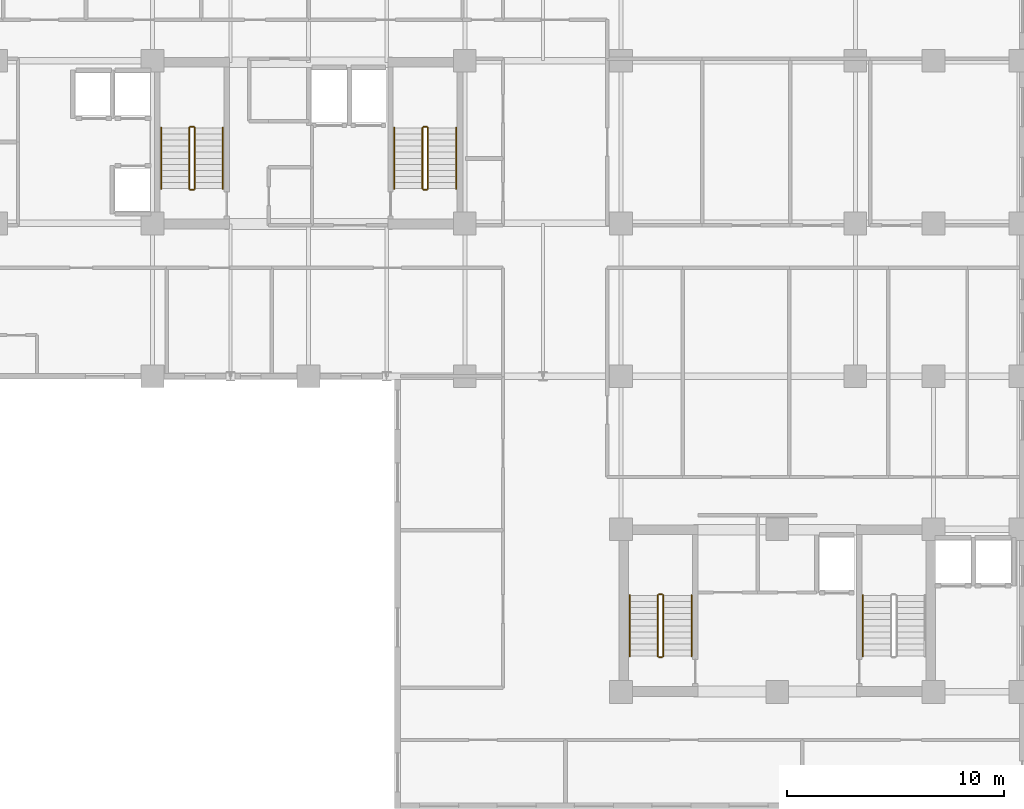
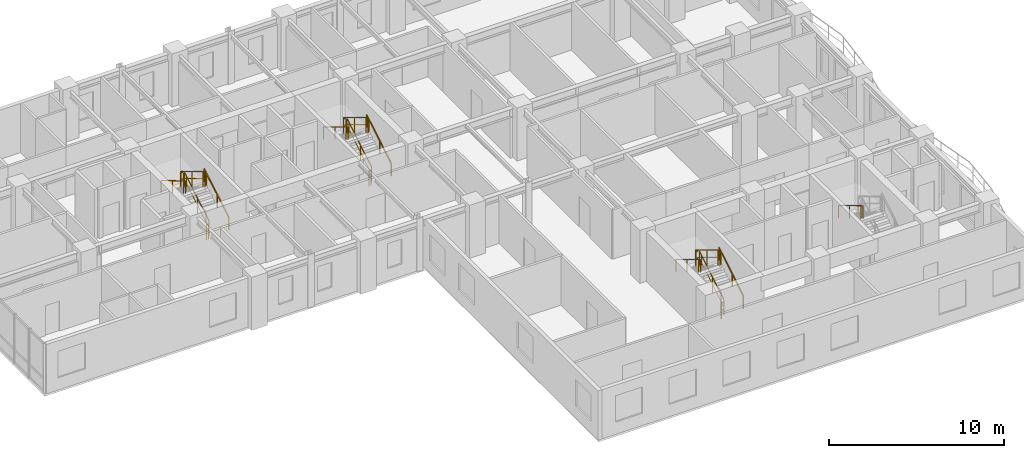
# One storey, part 17 of 19: 19 railings.
"""IFC4 building model written with IfcOpenShell, lengths in metres."""

from ifc_helpers import new_model, si_unit, direction, frame, origin, origin_2d, place, context, subcontext, project, spatial, rectangle, extrude, material, type_object, element, save


model = new_model("IFC4")

# Units and contexts
model_context = context("Model", 3, precision=1e-05, world=origin(), true_north=direction((0.0, 1.0)))
body_context = subcontext(model_context, "Body", "Model", "MODEL_VIEW")
ifc_project = project(units=[si_unit("LENGTHUNIT", "METRE"), si_unit("AREAUNIT", "SQUARE_METRE"), si_unit("VOLUMEUNIT", "CUBIC_METRE"), si_unit("PLANEANGLEUNIT", "RADIAN"), si_unit("MASSUNIT", "GRAM", prefix="KILO")], contexts=[model_context])

# Site, building, storey
site_placement = place(None, origin())
site = spatial("IfcSite", under=ifc_project, at=site_placement, CompositionType="ELEMENT")
building_placement = place(site_placement, origin())
building = spatial("IfcBuilding", under=site, at=building_placement, Name="Kaliganga Portal Commons", CompositionType="ELEMENT")
storey_placement = place(building_placement, frame((0.0, 0.0, 184.60009765625)))
storey = spatial("IfcBuildingStorey", under=building, at=storey_placement, Name="L47", CompositionType="ELEMENT", Elevation=184.60009765625)

# Railings
ifc_material_1 = material(Name="Galvanized Painted Steel Balustrade", Category="steel")
railing_type_1 = type_object("IfcRailingType", Name="RLG-STAIR-GRD", PredefinedType="GUARDRAIL", material=ifc_material_1)
railing_1_placement = place(storey_placement, frame((16.35009765625, 30.25, 0.16796875)))
element("IfcRailing", 1, at=railing_1_placement, inside=storey, type_object=railing_type_1, Name="L47 ST-A1 stair guard 1", PredefinedType="GUARDRAIL", context=body_context, shape_type="SweptSolid", body=[
    extrude(rectangle(XDim=0.048095703125, YDim=0.048095703125, at=origin_2d()), frame((0.0, 0.0, 1.072021484375), z_axis=(0.0, 0.857242210791, 0.514913383045), x_axis=(-1.0, 0.0, 0.0)), (0.0, 0.0, 1.0), 3.266357421875),
    extrude(rectangle(XDim=0.028076171875, YDim=0.028076171875, at=origin_2d()), frame((0.0, 0.0, 0.572021484375), z_axis=(0.0, 0.857242210791, 0.514913383045), x_axis=(-1.0, 0.0, 0.0)), (0.0, 0.0, 1.0), 3.266357421875),
    extrude(rectangle(XDim=0.0419921875, YDim=0.0419921875, at=origin_2d()), origin(), (0.0, 0.0, 1.0), 1.052001953125),
    extrude(rectangle(XDim=0.0419921875, YDim=0.0419921875, at=origin_2d()), frame((0.0, 1.285888671875, 0.7724609375)), (0.0, 0.0, 1.0), 1.052001953125),
    extrude(rectangle(XDim=0.0419921875, YDim=0.0419921875, at=origin_2d()), frame((0.0, 2.57177734375, 1.544677734375)), (0.0, 0.0, 1.0), 1.052001953125),
    extrude(rectangle(XDim=0.0419921875, YDim=0.0419921875, at=origin_2d()), frame((0.0, 2.800048828125, 1.681884765625)), (0.0, 0.0, 1.0), 1.052001953125),
])
railing_2_placement = place(storey_placement, frame((16.300048828125, 33.10009765625, 1.849853515625)))
element("IfcRailing", 2, at=railing_2_placement, inside=storey, type_object=railing_type_1, Name="L47 ST-A1 stair guard 2", PredefinedType="GUARDRAIL", context=body_context, shape_type="SweptSolid", body=[
    extrude(rectangle(XDim=0.048095703125, YDim=0.048095703125, at=origin_2d()), frame((0.0, 0.0, 1.076171875), z_axis=(-1.0, 0.0, 0.0), x_axis=(0.0, -1.0, 0.0)), (0.0, 0.0, 1.0), 0.150146484375),
    extrude(rectangle(XDim=0.028076171875, YDim=0.028076171875, at=origin_2d()), frame((0.0, 0.0, 0.572021484375), z_axis=(-1.0, 0.0, 0.0), x_axis=(0.0, -1.0, 0.0)), (0.0, 0.0, 1.0), 0.150146484375),
    extrude(rectangle(XDim=0.0419921875, YDim=0.0419921875, at=origin_2d()), origin(), (0.0, 0.0, 1.0), 1.052001953125),
    extrude(rectangle(XDim=0.0419921875, YDim=0.0419921875, at=origin_2d()), frame((-0.150146484375, 0.0, 0.0)), (0.0, 0.0, 1.0), 1.052001953125),
])
railing_3_placement = place(storey_placement, frame((16.10009765625, 33.050048828125, 2.01806640625)))
element("IfcRailing", 3, at=railing_3_placement, inside=storey, type_object=railing_type_1, Name="L47 ST-A1 stair guard 3", PredefinedType="GUARDRAIL", context=body_context, shape_type="SweptSolid", body=[
    extrude(rectangle(XDim=0.048095703125, YDim=0.048095703125, at=origin_2d()), frame((0.0, 0.0, 1.072021484375), z_axis=(0.0, -0.857242210791, 0.514913383045), x_axis=(1.0, 0.0, 0.0)), (0.0, 0.0, 1.0), 3.266357421875),
    extrude(rectangle(XDim=0.028076171875, YDim=0.028076171875, at=origin_2d()), frame((0.0, 0.0, 0.572021484375), z_axis=(0.0, -0.857242210791, 0.514913383045), x_axis=(1.0, 0.0, 0.0)), (0.0, 0.0, 1.0), 3.266357421875),
    extrude(rectangle(XDim=0.0419921875, YDim=0.0419921875, at=origin_2d()), origin(), (0.0, 0.0, 1.0), 1.052001953125),
    extrude(rectangle(XDim=0.0419921875, YDim=0.0419921875, at=origin_2d()), frame((0.0, -1.285888671875, 0.7724609375)), (0.0, 0.0, 1.0), 1.052001953125),
    extrude(rectangle(XDim=0.0419921875, YDim=0.0419921875, at=origin_2d()), frame((0.0, -2.57177734375, 1.544677734375)), (0.0, 0.0, 1.0), 1.052001953125),
    extrude(rectangle(XDim=0.0419921875, YDim=0.0419921875, at=origin_2d()), frame((0.0, -2.800048828125, 1.681884765625)), (0.0, 0.0, 1.0), 1.052001953125),
])
railing_4_placement = place(storey_placement, frame((16.300048828125, 30.199951171875, 0.0)))
element("IfcRailing", 4, at=railing_4_placement, inside=storey, type_object=railing_type_1, Name="L47 ST-A1 stair guard 4", PredefinedType="GUARDRAIL", context=body_context, shape_type="SweptSolid", body=[
    extrude(rectangle(XDim=0.048095703125, YDim=0.048095703125, at=origin_2d()), frame((0.0, 0.0, 1.076171875), z_axis=(-1.0, 0.0, 0.0), x_axis=(0.0, -1.0, 0.0)), (0.0, 0.0, 1.0), 0.150146484375),
    extrude(rectangle(XDim=0.028076171875, YDim=0.028076171875, at=origin_2d()), frame((0.0, 0.0, 0.572021484375), z_axis=(-1.0, 0.0, 0.0), x_axis=(0.0, -1.0, 0.0)), (0.0, 0.0, 1.0), 0.150146484375),
    extrude(rectangle(XDim=0.0419921875, YDim=0.0419921875, at=origin_2d()), origin(), (0.0, 0.0, 1.0), 1.052001953125),
    extrude(rectangle(XDim=0.0419921875, YDim=0.0419921875, at=origin_2d()), frame((-0.150146484375, 0.0, 0.0)), (0.0, 0.0, 1.0), 1.052001953125),
])
railing_5_placement = place(storey_placement, frame((27.10009765625, 30.25, 0.16796875)))
element("IfcRailing", 5, at=railing_5_placement, inside=storey, type_object=railing_type_1, Name="L47 ST-A2 stair guard 1", PredefinedType="GUARDRAIL", context=body_context, shape_type="SweptSolid", body=[
    extrude(rectangle(XDim=0.048095703125, YDim=0.048095703125, at=origin_2d()), frame((0.0, 0.0, 1.072021484375), z_axis=(0.0, 0.857242210791, 0.514913383045), x_axis=(-1.0, 0.0, 0.0)), (0.0, 0.0, 1.0), 3.266357421875),
    extrude(rectangle(XDim=0.028076171875, YDim=0.028076171875, at=origin_2d()), frame((0.0, 0.0, 0.572021484375), z_axis=(0.0, 0.857242210791, 0.514913383045), x_axis=(-1.0, 0.0, 0.0)), (0.0, 0.0, 1.0), 3.266357421875),
    extrude(rectangle(XDim=0.0419921875, YDim=0.0419921875, at=origin_2d()), origin(), (0.0, 0.0, 1.0), 1.052001953125),
    extrude(rectangle(XDim=0.0419921875, YDim=0.0419921875, at=origin_2d()), frame((0.0, 1.285888671875, 0.7724609375)), (0.0, 0.0, 1.0), 1.052001953125),
    extrude(rectangle(XDim=0.0419921875, YDim=0.0419921875, at=origin_2d()), frame((0.0, 2.57177734375, 1.544677734375)), (0.0, 0.0, 1.0), 1.052001953125),
    extrude(rectangle(XDim=0.0419921875, YDim=0.0419921875, at=origin_2d()), frame((0.0, 2.800048828125, 1.681884765625)), (0.0, 0.0, 1.0), 1.052001953125),
])
railing_6_placement = place(storey_placement, frame((27.050048828125, 33.10009765625, 1.849853515625)))
element("IfcRailing", 6, at=railing_6_placement, inside=storey, type_object=railing_type_1, Name="L47 ST-A2 stair guard 2", PredefinedType="GUARDRAIL", context=body_context, shape_type="SweptSolid", body=[
    extrude(rectangle(XDim=0.048095703125, YDim=0.048095703125, at=origin_2d()), frame((0.0, 0.0, 1.076171875), z_axis=(-1.0, 0.0, 0.0), x_axis=(0.0, -1.0, 0.0)), (0.0, 0.0, 1.0), 0.150146484375),
    extrude(rectangle(XDim=0.028076171875, YDim=0.028076171875, at=origin_2d()), frame((0.0, 0.0, 0.572021484375), z_axis=(-1.0, 0.0, 0.0), x_axis=(0.0, -1.0, 0.0)), (0.0, 0.0, 1.0), 0.150146484375),
    extrude(rectangle(XDim=0.0419921875, YDim=0.0419921875, at=origin_2d()), origin(), (0.0, 0.0, 1.0), 1.052001953125),
    extrude(rectangle(XDim=0.0419921875, YDim=0.0419921875, at=origin_2d()), frame((-0.150146484375, 0.0, 0.0)), (0.0, 0.0, 1.0), 1.052001953125),
])
railing_7_placement = place(storey_placement, frame((26.85009765625, 33.050048828125, 2.01806640625)))
element("IfcRailing", 7, at=railing_7_placement, inside=storey, type_object=railing_type_1, Name="L47 ST-A2 stair guard 3", PredefinedType="GUARDRAIL", context=body_context, shape_type="SweptSolid", body=[
    extrude(rectangle(XDim=0.048095703125, YDim=0.048095703125, at=origin_2d()), frame((0.0, 0.0, 1.072021484375), z_axis=(0.0, -0.857242210791, 0.514913383045), x_axis=(1.0, 0.0, 0.0)), (0.0, 0.0, 1.0), 3.266357421875),
    extrude(rectangle(XDim=0.028076171875, YDim=0.028076171875, at=origin_2d()), frame((0.0, 0.0, 0.572021484375), z_axis=(0.0, -0.857242210791, 0.514913383045), x_axis=(1.0, 0.0, 0.0)), (0.0, 0.0, 1.0), 3.266357421875),
    extrude(rectangle(XDim=0.0419921875, YDim=0.0419921875, at=origin_2d()), origin(), (0.0, 0.0, 1.0), 1.052001953125),
    extrude(rectangle(XDim=0.0419921875, YDim=0.0419921875, at=origin_2d()), frame((0.0, -1.285888671875, 0.7724609375)), (0.0, 0.0, 1.0), 1.052001953125),
    extrude(rectangle(XDim=0.0419921875, YDim=0.0419921875, at=origin_2d()), frame((0.0, -2.57177734375, 1.544677734375)), (0.0, 0.0, 1.0), 1.052001953125),
    extrude(rectangle(XDim=0.0419921875, YDim=0.0419921875, at=origin_2d()), frame((0.0, -2.800048828125, 1.681884765625)), (0.0, 0.0, 1.0), 1.052001953125),
])
railing_8_placement = place(storey_placement, frame((27.050048828125, 30.199951171875, 0.0)))
element("IfcRailing", 8, at=railing_8_placement, inside=storey, type_object=railing_type_1, Name="L47 ST-A2 stair guard 4", PredefinedType="GUARDRAIL", context=body_context, shape_type="SweptSolid", body=[
    extrude(rectangle(XDim=0.048095703125, YDim=0.048095703125, at=origin_2d()), frame((0.0, 0.0, 1.076171875), z_axis=(-1.0, 0.0, 0.0), x_axis=(0.0, -1.0, 0.0)), (0.0, 0.0, 1.0), 0.150146484375),
    extrude(rectangle(XDim=0.028076171875, YDim=0.028076171875, at=origin_2d()), frame((0.0, 0.0, 0.572021484375), z_axis=(-1.0, 0.0, 0.0), x_axis=(0.0, -1.0, 0.0)), (0.0, 0.0, 1.0), 0.150146484375),
    extrude(rectangle(XDim=0.0419921875, YDim=0.0419921875, at=origin_2d()), origin(), (0.0, 0.0, 1.0), 1.052001953125),
    extrude(rectangle(XDim=0.0419921875, YDim=0.0419921875, at=origin_2d()), frame((-0.150146484375, 0.0, 0.0)), (0.0, 0.0, 1.0), 1.052001953125),
])
railing_9_placement = place(storey_placement, frame((37.949951171875, 8.699951171875, 0.16796875)))
element("IfcRailing", 9, at=railing_9_placement, inside=storey, type_object=railing_type_1, Name="L47 ST-B1 stair guard 1", PredefinedType="GUARDRAIL", context=body_context, shape_type="SweptSolid", body=[
    extrude(rectangle(XDim=0.048095703125, YDim=0.048095703125, at=origin_2d()), frame((0.0, 0.0, 1.072021484375), z_axis=(0.0, 0.857242210791, 0.514913383045), x_axis=(-1.0, 0.0, 0.0)), (0.0, 0.0, 1.0), 3.266357421875),
    extrude(rectangle(XDim=0.028076171875, YDim=0.028076171875, at=origin_2d()), frame((0.0, 0.0, 0.572021484375), z_axis=(0.0, 0.857242210791, 0.514913383045), x_axis=(-1.0, 0.0, 0.0)), (0.0, 0.0, 1.0), 3.266357421875),
    extrude(rectangle(XDim=0.0419921875, YDim=0.0419921875, at=origin_2d()), origin(), (0.0, 0.0, 1.0), 1.052001953125),
    extrude(rectangle(XDim=0.0419921875, YDim=0.0419921875, at=origin_2d()), frame((0.0, 1.285888671875, 0.7724609375)), (0.0, 0.0, 1.0), 1.052001953125),
    extrude(rectangle(XDim=0.0419921875, YDim=0.0419921875, at=origin_2d()), frame((0.0, 2.57177734375, 1.544677734375)), (0.0, 0.0, 1.0), 1.052001953125),
    extrude(rectangle(XDim=0.0419921875, YDim=0.0419921875, at=origin_2d()), frame((0.0, 2.800048828125, 1.681884765625)), (0.0, 0.0, 1.0), 1.052001953125),
])
railing_10_placement = place(storey_placement, frame((37.89990234375, 11.550048828125, 1.849853515625)))
element("IfcRailing", 10, at=railing_10_placement, inside=storey, type_object=railing_type_1, Name="L47 ST-B1 stair guard 2", PredefinedType="GUARDRAIL", context=body_context, shape_type="SweptSolid", body=[
    extrude(rectangle(XDim=0.048095703125, YDim=0.048095703125, at=origin_2d()), frame((0.0, 0.0, 1.076171875), z_axis=(-1.0, 0.0, 0.0), x_axis=(0.0, -1.0, 0.0)), (0.0, 0.0, 1.0), 0.14990234375),
    extrude(rectangle(XDim=0.028076171875, YDim=0.028076171875, at=origin_2d()), frame((0.0, 0.0, 0.572021484375), z_axis=(-1.0, 0.0, 0.0), x_axis=(0.0, -1.0, 0.0)), (0.0, 0.0, 1.0), 0.14990234375),
    extrude(rectangle(XDim=0.0419921875, YDim=0.0419921875, at=origin_2d()), frame((-0.14990234375, 0.0, 0.0)), (0.0, 0.0, 1.0), 1.052001953125),
])
railing_11_placement = place(storey_placement, frame((37.699951171875, 11.5, 2.01806640625)))
element("IfcRailing", 11, at=railing_11_placement, inside=storey, type_object=railing_type_1, Name="L47 ST-B1 stair guard 3", PredefinedType="GUARDRAIL", context=body_context, shape_type="SweptSolid", body=[
    extrude(rectangle(XDim=0.048095703125, YDim=0.048095703125, at=origin_2d()), frame((0.0, 0.0, 1.072021484375), z_axis=(0.0, -0.857242210791, 0.514913383045), x_axis=(1.0, 0.0, 0.0)), (0.0, 0.0, 1.0), 3.266357421875),
    extrude(rectangle(XDim=0.028076171875, YDim=0.028076171875, at=origin_2d()), frame((0.0, 0.0, 0.572021484375), z_axis=(0.0, -0.857242210791, 0.514913383045), x_axis=(1.0, 0.0, 0.0)), (0.0, 0.0, 1.0), 3.266357421875),
    extrude(rectangle(XDim=0.0419921875, YDim=0.0419921875, at=origin_2d()), origin(), (0.0, 0.0, 1.0), 1.052001953125),
    extrude(rectangle(XDim=0.0419921875, YDim=0.0419921875, at=origin_2d()), frame((0.0, -1.285888671875, 0.7724609375)), (0.0, 0.0, 1.0), 1.052001953125),
    extrude(rectangle(XDim=0.0419921875, YDim=0.0419921875, at=origin_2d()), frame((0.0, -2.57177734375, 1.544677734375)), (0.0, 0.0, 1.0), 1.052001953125),
    extrude(rectangle(XDim=0.0419921875, YDim=0.0419921875, at=origin_2d()), frame((0.0, -2.800048828125, 1.681884765625)), (0.0, 0.0, 1.0), 1.052001953125),
])
railing_12_placement = place(storey_placement, frame((37.89990234375, 8.64990234375, 0.0)))
element("IfcRailing", 12, at=railing_12_placement, inside=storey, type_object=railing_type_1, Name="L47 ST-B1 stair guard 4", PredefinedType="GUARDRAIL", context=body_context, shape_type="SweptSolid", body=[
    extrude(rectangle(XDim=0.048095703125, YDim=0.048095703125, at=origin_2d()), frame((0.0, 0.0, 1.076171875), z_axis=(-1.0, 0.0, 0.0), x_axis=(0.0, -1.0, 0.0)), (0.0, 0.0, 1.0), 0.14990234375),
    extrude(rectangle(XDim=0.028076171875, YDim=0.028076171875, at=origin_2d()), frame((0.0, 0.0, 0.572021484375), z_axis=(-1.0, 0.0, 0.0), x_axis=(0.0, -1.0, 0.0)), (0.0, 0.0, 1.0), 0.14990234375),
    extrude(rectangle(XDim=0.0419921875, YDim=0.0419921875, at=origin_2d()), frame((-0.14990234375, 0.0, 0.0)), (0.0, 0.0, 1.0), 1.052001953125),
])
ifc_material_2 = material(Name="Brushed Stainless Steel 316", Category="steel")
railing_type_2 = type_object("IfcRailingType", Name="RLG-STAIR-HR", PredefinedType="HANDRAIL", material=ifc_material_2)
railing_13_placement = place(storey_placement, frame((17.64990234375, 30.25, 0.16796875)))
element("IfcRailing", 13, at=railing_13_placement, inside=storey, type_object=railing_type_2, Name="L47 ST-A1 stair handrail 1", PredefinedType="HANDRAIL", context=body_context, shape_type="SweptSolid", body=[
    extrude(rectangle(XDim=0.048095703125, YDim=0.048095703125, at=origin_2d()), frame((0.0, 0.0, 0.871826171875), z_axis=(0.0, 0.857242210791, 0.514913383045), x_axis=(-1.0, 0.0, 0.0)), (0.0, 0.0, 1.0), 3.266357421875),
    extrude(rectangle(XDim=0.0419921875, YDim=0.0419921875, at=origin_2d()), origin(), (0.0, 0.0, 1.0), 0.851806640625),
    extrude(rectangle(XDim=0.0419921875, YDim=0.0419921875, at=origin_2d()), frame((0.0, 1.285888671875, 0.7724609375)), (0.0, 0.0, 1.0), 0.851806640625),
    extrude(rectangle(XDim=0.0419921875, YDim=0.0419921875, at=origin_2d()), frame((0.0, 2.57177734375, 1.544677734375)), (0.0, 0.0, 1.0), 0.851806640625),
    extrude(rectangle(XDim=0.0419921875, YDim=0.0419921875, at=origin_2d()), frame((0.0, 2.800048828125, 1.681884765625)), (0.0, 0.0, 1.0), 0.851806640625),
])
railing_14_placement = place(storey_placement, frame((14.800048828125, 33.050048828125, 2.01806640625)))
element("IfcRailing", 14, at=railing_14_placement, inside=storey, type_object=railing_type_2, Name="L47 ST-A1 stair handrail 2", PredefinedType="HANDRAIL", context=body_context, shape_type="SweptSolid", body=[
    extrude(rectangle(XDim=0.048095703125, YDim=0.048095703125, at=origin_2d()), frame((0.0, 0.0, 0.871826171875), z_axis=(0.0, -0.857242210791, 0.514913383045), x_axis=(1.0, 0.0, 0.0)), (0.0, 0.0, 1.0), 3.266357421875),
    extrude(rectangle(XDim=0.0419921875, YDim=0.0419921875, at=origin_2d()), origin(), (0.0, 0.0, 1.0), 0.851806640625),
    extrude(rectangle(XDim=0.0419921875, YDim=0.0419921875, at=origin_2d()), frame((0.0, -1.285888671875, 0.7724609375)), (0.0, 0.0, 1.0), 0.851806640625),
    extrude(rectangle(XDim=0.0419921875, YDim=0.0419921875, at=origin_2d()), frame((0.0, -2.57177734375, 1.544677734375)), (0.0, 0.0, 1.0), 0.851806640625),
    extrude(rectangle(XDim=0.0419921875, YDim=0.0419921875, at=origin_2d()), frame((0.0, -2.800048828125, 1.681884765625)), (0.0, 0.0, 1.0), 0.851806640625),
])
railing_15_placement = place(storey_placement, frame((28.39990234375, 30.25, 0.16796875)))
element("IfcRailing", 15, at=railing_15_placement, inside=storey, type_object=railing_type_2, Name="L47 ST-A2 stair handrail 1", PredefinedType="HANDRAIL", context=body_context, shape_type="SweptSolid", body=[
    extrude(rectangle(XDim=0.048095703125, YDim=0.048095703125, at=origin_2d()), frame((0.0, 0.0, 0.871826171875), z_axis=(0.0, 0.857242210791, 0.514913383045), x_axis=(-1.0, 0.0, 0.0)), (0.0, 0.0, 1.0), 3.266357421875),
    extrude(rectangle(XDim=0.0419921875, YDim=0.0419921875, at=origin_2d()), origin(), (0.0, 0.0, 1.0), 0.851806640625),
    extrude(rectangle(XDim=0.0419921875, YDim=0.0419921875, at=origin_2d()), frame((0.0, 1.285888671875, 0.7724609375)), (0.0, 0.0, 1.0), 0.851806640625),
    extrude(rectangle(XDim=0.0419921875, YDim=0.0419921875, at=origin_2d()), frame((0.0, 2.57177734375, 1.544677734375)), (0.0, 0.0, 1.0), 0.851806640625),
    extrude(rectangle(XDim=0.0419921875, YDim=0.0419921875, at=origin_2d()), frame((0.0, 2.800048828125, 1.681884765625)), (0.0, 0.0, 1.0), 0.851806640625),
])
railing_16_placement = place(storey_placement, frame((25.550048828125, 33.050048828125, 2.01806640625)))
element("IfcRailing", 16, at=railing_16_placement, inside=storey, type_object=railing_type_2, Name="L47 ST-A2 stair handrail 2", PredefinedType="HANDRAIL", context=body_context, shape_type="SweptSolid", body=[
    extrude(rectangle(XDim=0.048095703125, YDim=0.048095703125, at=origin_2d()), frame((0.0, 0.0, 0.871826171875), z_axis=(0.0, -0.857242210791, 0.514913383045), x_axis=(1.0, 0.0, 0.0)), (0.0, 0.0, 1.0), 3.266357421875),
    extrude(rectangle(XDim=0.0419921875, YDim=0.0419921875, at=origin_2d()), origin(), (0.0, 0.0, 1.0), 0.851806640625),
    extrude(rectangle(XDim=0.0419921875, YDim=0.0419921875, at=origin_2d()), frame((0.0, -1.285888671875, 0.7724609375)), (0.0, 0.0, 1.0), 0.851806640625),
    extrude(rectangle(XDim=0.0419921875, YDim=0.0419921875, at=origin_2d()), frame((0.0, -2.57177734375, 1.544677734375)), (0.0, 0.0, 1.0), 0.851806640625),
    extrude(rectangle(XDim=0.0419921875, YDim=0.0419921875, at=origin_2d()), frame((0.0, -2.800048828125, 1.681884765625)), (0.0, 0.0, 1.0), 0.851806640625),
])
railing_17_placement = place(storey_placement, frame((39.25, 8.699951171875, 0.16796875)))
element("IfcRailing", 17, at=railing_17_placement, inside=storey, type_object=railing_type_2, Name="L47 ST-B1 stair handrail 1", PredefinedType="HANDRAIL", context=body_context, shape_type="SweptSolid", body=[
    extrude(rectangle(XDim=0.048095703125, YDim=0.048095703125, at=origin_2d()), frame((0.0, 0.0, 0.871826171875), z_axis=(0.0, 0.857242210791, 0.514913383045), x_axis=(-1.0, 0.0, 0.0)), (0.0, 0.0, 1.0), 3.266357421875),
    extrude(rectangle(XDim=0.0419921875, YDim=0.0419921875, at=origin_2d()), origin(), (0.0, 0.0, 1.0), 0.851806640625),
    extrude(rectangle(XDim=0.0419921875, YDim=0.0419921875, at=origin_2d()), frame((0.0, 1.285888671875, 0.7724609375)), (0.0, 0.0, 1.0), 0.851806640625),
    extrude(rectangle(XDim=0.0419921875, YDim=0.0419921875, at=origin_2d()), frame((0.0, 2.57177734375, 1.544677734375)), (0.0, 0.0, 1.0), 0.851806640625),
    extrude(rectangle(XDim=0.0419921875, YDim=0.0419921875, at=origin_2d()), frame((0.0, 2.800048828125, 1.681884765625)), (0.0, 0.0, 1.0), 0.851806640625),
])
for number, where, name in (
    (18, (36.39990234375, 11.5, 2.01806640625), "L47 ST-B1 stair handrail 2"),
    (19, (47.14990234375, 11.5, 2.01806640625), "L47 ST-B2 stair handrail 2"),
):
    element("IfcRailing", number, at=place(storey_placement, frame(where)), inside=storey, type_object=railing_type_2, Name=name, PredefinedType="HANDRAIL", context=body_context, shape_type="SweptSolid", body=[
        extrude(rectangle(XDim=0.048095703125, YDim=0.048095703125, at=origin_2d()), frame((0.0, 0.0, 0.871826171875), z_axis=(0.0, -0.857242210791, 0.514913383045), x_axis=(1.0, 0.0, 0.0)), (0.0, 0.0, 1.0), 3.266357421875),
        extrude(rectangle(XDim=0.0419921875, YDim=0.0419921875, at=origin_2d()), origin(), (0.0, 0.0, 1.0), 0.851806640625),
        extrude(rectangle(XDim=0.0419921875, YDim=0.0419921875, at=origin_2d()), frame((0.0, -1.285888671875, 0.7724609375)), (0.0, 0.0, 1.0), 0.851806640625),
        extrude(rectangle(XDim=0.0419921875, YDim=0.0419921875, at=origin_2d()), frame((0.0, -2.57177734375, 1.544677734375)), (0.0, 0.0, 1.0), 0.851806640625),
        extrude(rectangle(XDim=0.0419921875, YDim=0.0419921875, at=origin_2d()), frame((0.0, -2.800048828125, 1.681884765625)), (0.0, 0.0, 1.0), 0.851806640625),
    ])

save(model, "model.ifc")
